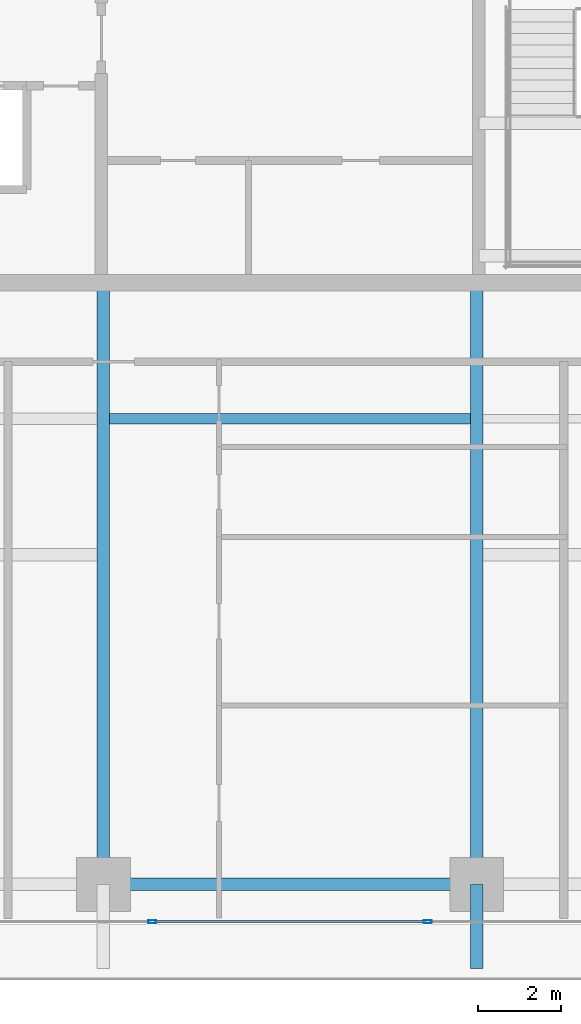
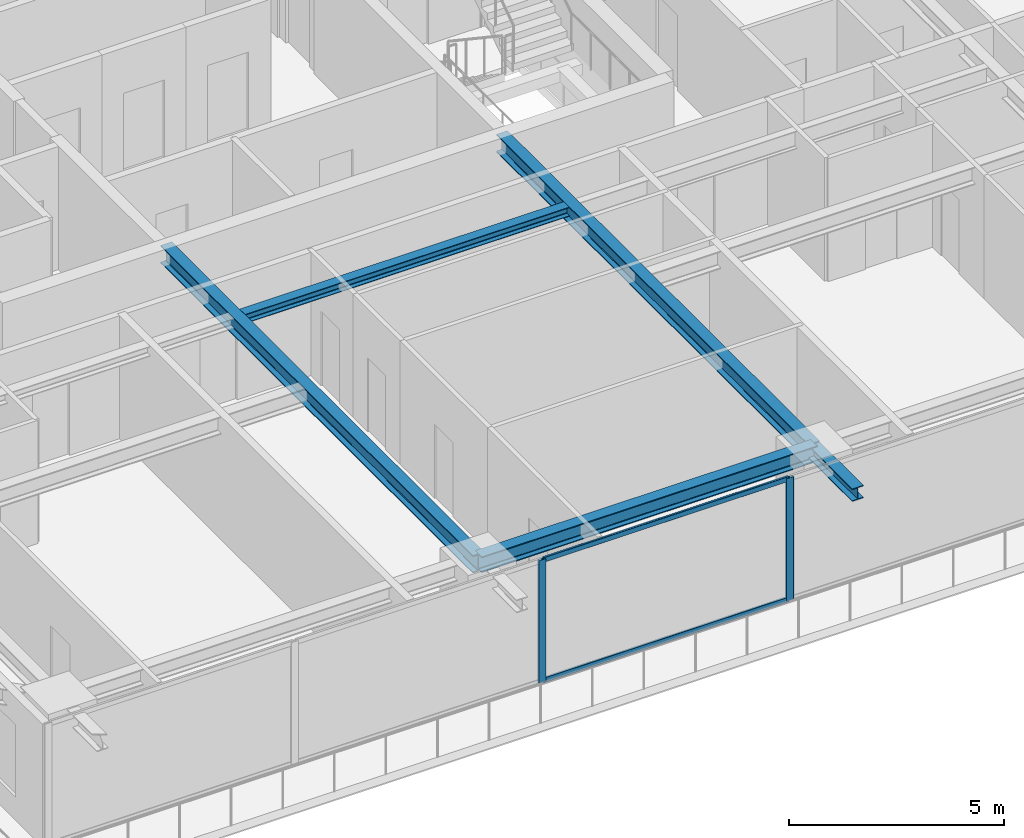
# One storey, part 5 of 34: 5 beams, 4 members, 1 element without a shape of its own.
"""IFC4 building model written with IfcOpenShell, lengths in metres."""

from ifc_helpers import new_model, si_unit, direction, frame, origin, origin_2d, place, context, subcontext, project, spatial, hollow_rectangle, i_section, extrude, source, transform, mapped, material, layer, layer_set, material_profile, profile_set, type_object, element, aggregate, save


model = new_model("IFC4")

# Units and contexts
model_context = context("Model", 3, precision=1e-05, world=origin(), true_north=direction((0.0, 1.0)))
body_context = subcontext(model_context, "Body", "Model", "MODEL_VIEW")
ifc_project = project(units=[si_unit("LENGTHUNIT", "METRE"), si_unit("AREAUNIT", "SQUARE_METRE"), si_unit("VOLUMEUNIT", "CUBIC_METRE"), si_unit("PLANEANGLEUNIT", "RADIAN"), si_unit("MASSUNIT", "GRAM", prefix="KILO")], contexts=[model_context])

# Site, building, storey
site_placement = place(None, origin())
site = spatial("IfcSite", under=ifc_project, at=site_placement, CompositionType="ELEMENT")
building_placement = place(site_placement, origin())
building = spatial("IfcBuilding", under=site, at=building_placement, Name="Serunith Strait Residences", CompositionType="ELEMENT")
storey_placement = place(building_placement, frame((0.0, 0.0, 180.14990234375)))
storey = spatial("IfcBuildingStorey", under=building, at=storey_placement, Name="L45", CompositionType="ELEMENT", Elevation=180.14990234375)

# Beams
ifc_material_1 = material(Name="Steel S355J2", Category="steel")
ifc_material_profile_1 = material_profile(ifc_material_1, i_section(OverallWidth=0.260009765625, OverallDepth=0.260009765625, WebThickness=0.010009765625, FlangeThickness=0.017578125, FilletRadius=0.02392578125, at=origin_2d()), Name="HEB 260")
ifc_profile_set_1 = profile_set([ifc_material_profile_1], Name="Steel S355J2")
beam_type_1 = type_object("IfcBeamType", Name="BM-HEB260", PredefinedType="JOIST", material=ifc_profile_set_1)
shared_shape_1 = source(origin(), body_context, "Body", "SweptSolid", [
    extrude(i_section(OverallWidth=0.260009765625, OverallDepth=0.260009765625, WebThickness=0.010009765625, FlangeThickness=0.017578125, FilletRadius=0.02392578125, at=origin_2d()), origin(), (0.0, 0.0, 1.0), 8.699951171875),
])
beam_1_placement = place(storey_placement, frame((28.050048828125, 13.52490234375, 3.357177734375), z_axis=(1.0, 0.0, 0.0), x_axis=(0.0, 1.0, 0.0)))
element("IfcBeam", 1, at=beam_1_placement, inside=storey, type_object=beam_type_1, Name="L45 Composite Floor Joist 02", PredefinedType="JOIST", context=body_context, shape_type="MappedRepresentation", body=[
    mapped(shared_shape_1, transform((0.0, 0.0, 0.0), scale=1.0)),
])
ifc_material_profile_2 = material_profile(ifc_material_1, i_section(OverallWidth=0.300048828125, OverallDepth=0.449951171875, WebThickness=0.013916015625, FlangeThickness=0.02587890625, FilletRadius=0.027099609375, at=origin_2d()), Name="HEB 450")
ifc_profile_set_2 = profile_set([ifc_material_profile_2], Name="Steel S355J2")
beam_type_2 = type_object("IfcBeamType", Name="BM-HEB450", PredefinedType="BEAM", material=ifc_profile_set_2)
shared_shape_2 = source(origin(), body_context, "Body", "SweptSolid", [
    extrude(i_section(OverallWidth=0.300048828125, OverallDepth=0.449951171875, WebThickness=0.013916015625, FlangeThickness=0.02587890625, FilletRadius=0.027099609375, at=origin_2d()), origin(), (0.0, 0.0, 1.0), 9.0),
])
beam_2_placement = place(storey_placement, frame((27.89990234375, 2.300048828125, 3.26220703125), z_axis=(1.0, 0.0, 0.0), x_axis=(0.0, 1.0, 0.0)))
element("IfcBeam", 2, at=beam_2_placement, inside=storey, type_object=beam_type_2, Name="L45 Perimeter Ring Beam 02", PredefinedType="BEAM", context=body_context, shape_type="MappedRepresentation", body=[
    mapped(shared_shape_2, transform((0.0, 0.0, 0.0), scale=1.0)),
])
ifc_material_profile_3 = material_profile(ifc_material_1, i_section(OverallWidth=0.300048828125, OverallDepth=0.5, WebThickness=0.014404296875, FlangeThickness=0.028076171875, FilletRadius=0.027099609375, at=origin_2d()), Name="HEB 500")
ifc_profile_set_3 = profile_set([ifc_material_profile_3], Name="Steel S355J2")
beam_type_3 = type_object("IfcBeamType", Name="BM-HEB500", PredefinedType="BEAM", material=ifc_profile_set_3)
shared_shape_3 = source(origin(), body_context, "Body", "SweptSolid", [
    extrude(i_section(OverallWidth=0.300048828125, OverallDepth=0.5, WebThickness=0.014404296875, FlangeThickness=0.028076171875, FilletRadius=0.027099609375, at=origin_2d()), origin(), (0.0, 0.0, 1.0), 14.5),
])
for number, where, z_axis, x_axis, name in (
    (3, (27.89990234375, 16.800048828125, 3.237060546875), (0.0, -1.0, 0.0), (1.0, 0.0, 0.0), "L45 Primary Floor Girder TC-S2"),
    (4, (36.89990234375, 16.800048828125, 3.237060546875), (0.0, -1.0, 0.0), (1.0, 0.0, 0.0), "L45 Primary Floor Girder TC-S3"),
):
    element("IfcBeam", number, at=place(storey_placement, frame(where, z_axis=z_axis, x_axis=x_axis)), inside=storey, type_object=beam_type_3, Name=name, PredefinedType="BEAM", context=body_context, shape_type="MappedRepresentation", body=[
        mapped(shared_shape_3, transform((0.0, 0.0, 0.0), scale=1.0)),
    ])
ifc_material_profile_4 = material_profile(ifc_material_1, i_section(OverallWidth=0.300048828125, OverallDepth=0.360107421875, WebThickness=0.012451171875, FlangeThickness=0.0224609375, FilletRadius=0.027099609375, at=origin_2d()), Name="HEB 360")
ifc_profile_set_4 = profile_set([ifc_material_profile_4], Name="Steel S355J2")
beam_type_4 = type_object("IfcBeamType", Name="BM-HEB360", PredefinedType="BEAM", material=ifc_profile_set_4)
shared_shape_4 = source(origin(), body_context, "Body", "SweptSolid", [
    extrude(i_section(OverallWidth=0.300048828125, OverallDepth=0.360107421875, WebThickness=0.012451171875, FlangeThickness=0.0224609375, FilletRadius=0.027099609375, at=origin_2d()), origin(), (0.0, 0.0, 1.0), 2.030029296875),
])
beam_3_placement = place(storey_placement, frame((36.89990234375, 2.300048828125, 3.277099609375), z_axis=(0.0, -1.0, 0.0), x_axis=(1.0, 0.0, 0.0)))
element("IfcBeam", 5, at=beam_3_placement, inside=storey, type_object=beam_type_4, Name="L46 Cantilevered Balcony Rib TC-S3", PredefinedType="BEAM", context=body_context, shape_type="MappedRepresentation", body=[
    mapped(shared_shape_4, transform((0.0, 0.0, 0.0), scale=1.0)),
])

# Curtain wall, members
ifc_material_2 = material(Name="Pale-Champagne Anodised Aluminium", Category="aluminium")
ifc_layer = layer(ifc_material_2, 0.199951171875, Name="Pale-Champagne Anodised Aluminium")
ifc_layer_set = layer_set([ifc_layer], Name="Pale-Champagne Anodised Aluminium")
curtain_wall_type = type_object("IfcCurtainWallType", Name="CW-SYS2", PredefinedType="NOTDEFINED", material=ifc_layer_set)
curtain_wall_placement = place(storey_placement, origin())
curtain_wall = element("IfcCurtainWall", 6, at=curtain_wall_placement, inside=storey, type_object=curtain_wall_type, Name="L45 S Unitised Fritted Curtain Wall", PredefinedType="NOTDEFINED")
ifc_material_profile_5 = material_profile(ifc_material_2, hollow_rectangle(XDim=0.070068359375, YDim=0.199951171875, WallThickness=0.00390625, InnerFilletRadius=0.006103515625, OuterFilletRadius=0.010009765625, at=origin_2d()), Name="ALU 200x70x4")
ifc_profile_set_5 = profile_set([ifc_material_profile_5], Name="Pale-Champagne Anodised Aluminium")
member_type_1 = type_object("IfcMemberType", Name="CW-SYS2-MULL", PredefinedType="MULLION", material=ifc_profile_set_5)
shared_shape_5 = source(origin(), body_context, "Body", "SweptSolid", [
    extrude(hollow_rectangle(XDim=0.070068359375, YDim=0.199951171875, WallThickness=0.00390625, InnerFilletRadius=0.006103515625, OuterFilletRadius=0.010009765625, at=origin_2d()), origin(), (0.0, 0.0, 1.0), 3.47509765625),
])
member_1_placement = place(storey_placement, frame((29.080078125, 1.39990234375, 0.0), z_axis=(0.0, 0.0, 1.0), x_axis=(0.0, 1.0, 0.0)))
member_1 = element("IfcMember", 7, at=member_1_placement, type_object=member_type_1, Name="CW-2 mullion 3", PredefinedType="MULLION", context=body_context, shape_type="MappedRepresentation", body=[
    mapped(shared_shape_5, transform((0.0, 0.0, 0.0), scale=1.0)),
])
member_2_placement = place(storey_placement, frame((35.719970703125, 1.39990234375, 0.0), z_axis=(0.0, 0.0, 1.0), x_axis=(0.0, 1.0, 0.0)))
member_2 = element("IfcMember", 8, at=member_2_placement, type_object=member_type_1, Name="CW-2 mullion 4", PredefinedType="MULLION", context=body_context, shape_type="MappedRepresentation", body=[
    mapped(shared_shape_5, transform((0.0, 0.0, 0.0), scale=1.0)),
])
ifc_material_profile_6 = material_profile(ifc_material_2, hollow_rectangle(XDim=0.06005859375, YDim=0.139892578125, WallThickness=0.00341796875, InnerFilletRadius=0.00537109375, OuterFilletRadius=0.0087890625, at=origin_2d()), Name="ALU 140x60x3.5")
ifc_profile_set_6 = profile_set([ifc_material_profile_6], Name="Pale-Champagne Anodised Aluminium")
member_type_2 = type_object("IfcMemberType", Name="CW-SYS2-TRAN", PredefinedType="USERDEFINED", material=ifc_profile_set_6)
shared_shape_6 = source(origin(), body_context, "Body", "SweptSolid", [
    extrude(hollow_rectangle(XDim=0.06005859375, YDim=0.139892578125, WallThickness=0.00341796875, InnerFilletRadius=0.00537109375, OuterFilletRadius=0.0087890625, at=origin_2d()), origin(), (0.0, 0.0, 1.0), 6.570068359375),
])
member_3_placement = place(storey_placement, frame((29.114990234375, 1.39990234375, 0.030029296875), z_axis=(1.0, 0.0, 0.0), x_axis=(0.0, 1.0, 0.0)))
member_3 = element("IfcMember", 9, at=member_3_placement, type_object=member_type_2, Name="CW-2 transom 3.1", ObjectType="TRANSOM", PredefinedType="USERDEFINED", context=body_context, shape_type="MappedRepresentation", body=[
    mapped(shared_shape_6, transform((0.0, 0.0, 0.0), scale=1.0)),
])
member_4_placement = place(storey_placement, frame((29.114990234375, 1.39990234375, 3.445068359375), z_axis=(1.0, 0.0, 0.0), x_axis=(0.0, 1.0, 0.0)))
member_4 = element("IfcMember", 10, at=member_4_placement, type_object=member_type_2, Name="CW-2 transom 3.2", ObjectType="TRANSOM", PredefinedType="USERDEFINED", context=body_context, shape_type="MappedRepresentation", body=[
    mapped(shared_shape_6, transform((0.0, 0.0, 0.0), scale=1.0)),
])
aggregate(curtain_wall, [member_1, member_2, member_3, member_4])

save(model, "model.ifc")
